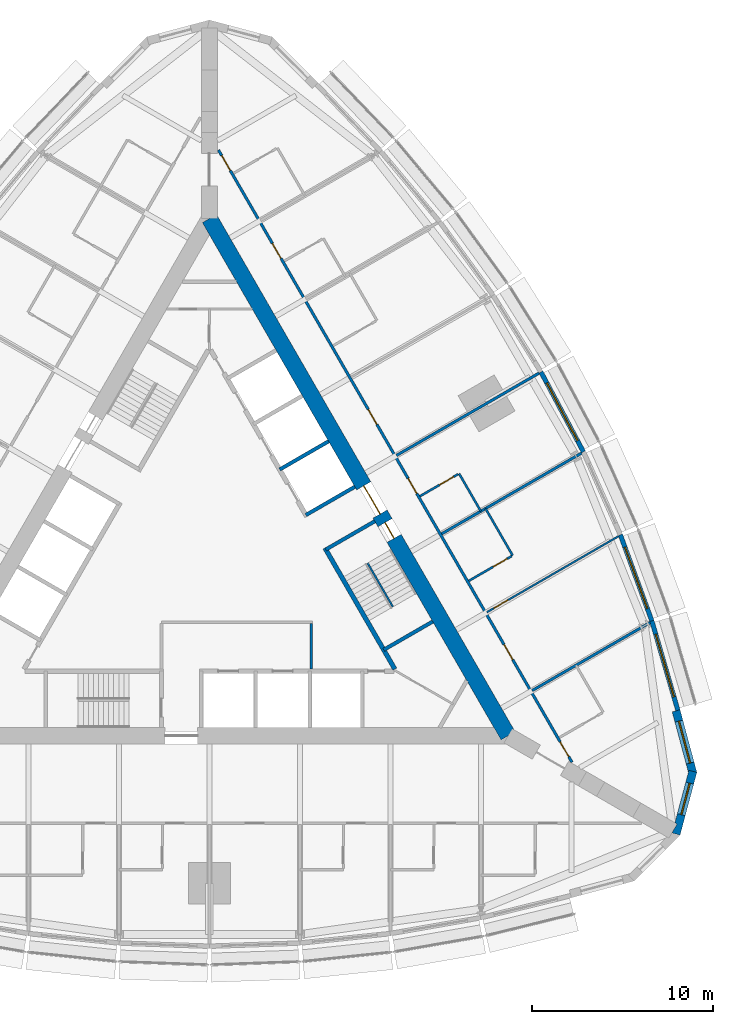
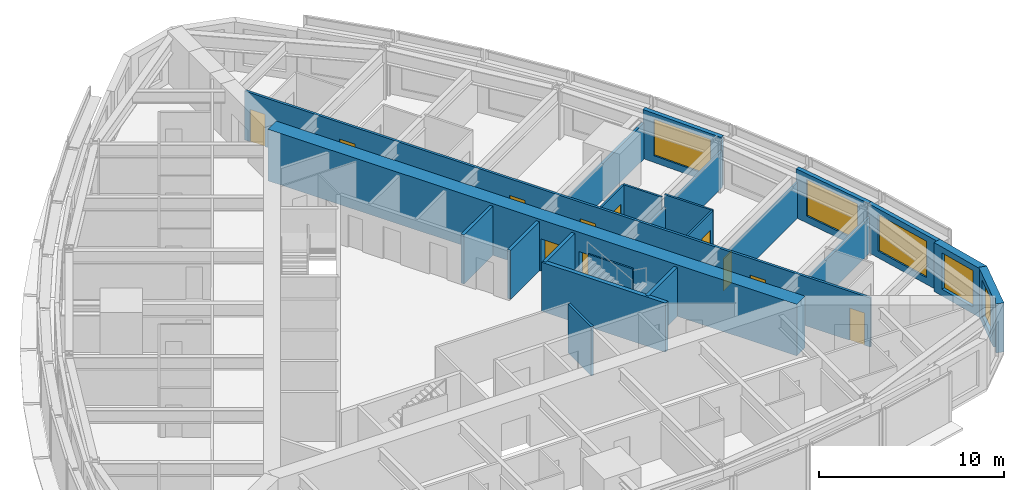
# One storey, part 11 of 14: 22 walls, 11 doors, 5 windows, 16 openings.
"""IFC4 building model written with IfcOpenShell, lengths in metres."""

from ifc_helpers import new_model, si_unit, direction, frame, frame_2d, origin, place, context, subcontext, project, spatial, polyline, rectangle, outline, extrude, material, layer, layer_set, type_object, element, fill, save


model = new_model("IFC4")

# Units and contexts
model_context = context("Model", 3, precision=1e-05, world=origin(), true_north=direction((0.0, 1.0)))
body_context = subcontext(model_context, "Body", "Model", "MODEL_VIEW")
ifc_project = project(units=[si_unit("LENGTHUNIT", "METRE"), si_unit("AREAUNIT", "SQUARE_METRE"), si_unit("VOLUMEUNIT", "CUBIC_METRE"), si_unit("PLANEANGLEUNIT", "RADIAN"), si_unit("MASSUNIT", "GRAM", prefix="KILO")], contexts=[model_context])

# Site, building, storey
site_placement = place(None, origin())
site = spatial("IfcSite", under=ifc_project, at=site_placement, CompositionType="ELEMENT")
building_placement = place(site_placement, origin())
building = spatial("IfcBuilding", under=site, at=building_placement, Name="Trikona Tower", CompositionType="ELEMENT")
storey_placement = place(building_placement, frame((0.0, 0.0, 145.300048828125)))
storey = spatial("IfcBuildingStorey", under=building, at=storey_placement, Name="L38", CompositionType="ELEMENT", Elevation=145.300048828125)

# Wall
ifc_material_1 = material(Name="Metal stud and cement board", Category="gypsum")
ifc_layer_1 = layer(ifc_material_1, 0.1201171875)
ifc_layer_set_1 = layer_set([ifc_layer_1], Name="Bathroom wall 120")
wall_type_1 = type_object("IfcWallType", Name="Bathroom wall 120", PredefinedType="PLUMBINGWALL", material=ifc_layer_set_1)
wall_1_placement = place(storey_placement, frame((16.75341796875, 0.434814453125, 0.0), z_axis=(0.0, 0.0, 1.0), x_axis=(-0.499990139034, 0.866031096941, 0.0)))
element("IfcWall", 1, at=wall_1_placement, inside=storey, type_object=wall_type_1, Name="Bathroom wall 3808.1", PredefinedType="PLUMBINGWALL", context=body_context, shape_type="SweptSolid", body=[
    extrude(rectangle(XDim=3.0, YDim=0.1201171875, at=frame_2d((1.5, 0.0))), origin(), (0.0, 0.0, 1.0), 3.23486328125),
])

# Wall, opening, door
wall_2_placement = place(storey_placement, frame((14.32861328125, -0.965087890625, 0.0), z_axis=(0.0, 0.0, 1.0), x_axis=(0.866035715982, 0.499982138324, 0.0)))
wall_2 = element("IfcWall", 2, at=wall_2_placement, inside=storey, type_object=wall_type_1, Name="Bathroom wall 3808.1", PredefinedType="PLUMBINGWALL", context=body_context, shape_type="SweptSolid", body=[
    extrude(rectangle(XDim=2.73974609375, YDim=0.1201171875, at=frame_2d((1.369873046875, 0.0))), origin(), (0.0, 0.0, 1.0), 3.23486328125),
])
opening_1_placement = place(wall_2_placement, frame((1.550048828125, 0.0, 0.0)))
opening_1 = element("IfcOpeningElement", 3, at=opening_1_placement, cuts=wall_2, Name="Opening D2", PredefinedType="OPENING", context=body_context, shape_type="SweptSolid", body=[
    extrude(rectangle(XDim=0.89990234375, YDim=2.1298828125, at=frame_2d((0.449951171875, 1.06494140625))), frame((0.0, 0.070068359375, 0.0), z_axis=(0.0, -1.0, 0.0), x_axis=(1.0, 0.0, 0.0)), (0.0, 0.0, 1.0), 0.14013671875),
])
ifc_material_2 = material(Name="Steel door frame with solid-core timber leaf", Category="steel")
door_type_1 = type_object("IfcDoorType", Name="Bathroom door 900x2130", OperationType="SLIDING_TO_LEFT", PredefinedType="DOOR", material=ifc_material_2)
door_1_placement = place(opening_1_placement, origin())
door_1 = element("IfcDoor", 4, at=door_1_placement, inside=storey, type_object=door_type_1, Name="Bathroom door 3808.1", OperationType="SLIDING_TO_LEFT", OverallHeight=2.1298828125, OverallWidth=0.89990234375, PredefinedType="DOOR", context=body_context, shape_type="SweptSolid", body=[
    extrude(rectangle(XDim=0.89990234375, YDim=2.1298828125, at=frame_2d((0.449951171875, 1.06494140625))), frame((0.0, 0.02490234375, 0.0), z_axis=(0.0, -1.0, 0.0), x_axis=(1.0, 0.0, 0.0)), (0.0, 0.0, 1.0), 0.050048828125),
])
fill(opening_1, door_1)

# Wall
wall_3_placement = place(storey_placement, frame((14.993408203125, 2.883056640625, 0.0), z_axis=(0.0, 0.0, 1.0), x_axis=(-0.500001309137, 0.866024647952, 0.0)))
element("IfcWall", 5, at=wall_3_placement, inside=storey, type_object=wall_type_1, Name="Bathroom wall 3809", PredefinedType="PLUMBINGWALL", context=body_context, shape_type="SweptSolid", body=[
    extrude(rectangle(XDim=2.39990234375, YDim=0.1201171875, at=frame_2d((1.199951171875, 0.0))), origin(), (0.0, 0.0, 1.0), 3.23486328125),
])

# Wall, opening, door
wall_4_placement = place(storey_placement, frame((11.62841796875, 3.71142578125, 0.0), z_axis=(0.0, 0.0, 1.0), x_axis=(0.866048967903, 0.499959183527, 0.0)))
wall_4 = element("IfcWall", 6, at=wall_4_placement, inside=storey, type_object=wall_type_1, Name="Bathroom wall 3809", PredefinedType="PLUMBINGWALL", context=body_context, shape_type="SweptSolid", body=[
    extrude(rectangle(XDim=2.440185546875, YDim=0.1201171875, at=frame_2d((1.22021484375, 0.0))), origin(), (0.0, 0.0, 1.0), 3.23486328125),
])
opening_2_placement = place(wall_4_placement, frame((1.25, 0.0, 0.0)))
opening_2 = element("IfcOpeningElement", 7, at=opening_2_placement, cuts=wall_4, Name="Opening D2", PredefinedType="OPENING", context=body_context, shape_type="SweptSolid", body=[
    extrude(rectangle(XDim=0.89990234375, YDim=2.1298828125, at=frame_2d((0.449951171875, 1.06494140625))), frame((0.0, 0.070068359375, 0.0), z_axis=(0.0, -1.0, 0.0), x_axis=(1.0, 0.0, 0.0)), (0.0, 0.0, 1.0), 0.14013671875),
])
door_2_placement = place(opening_2_placement, origin())
door_2 = element("IfcDoor", 8, at=door_2_placement, inside=storey, type_object=door_type_1, Name="Bathroom door 3809", OperationType="SLIDING_TO_LEFT", OverallHeight=2.1298828125, OverallWidth=0.89990234375, PredefinedType="DOOR", context=body_context, shape_type="SweptSolid", body=[
    extrude(rectangle(XDim=0.89990234375, YDim=2.1298828125, at=frame_2d((0.449951171875, 1.06494140625))), frame((0.0, 0.02490234375, 0.0), z_axis=(0.0, -1.0, 0.0), x_axis=(1.0, 0.0, 0.0)), (0.0, 0.0, 1.0), 0.050048828125),
])
fill(opening_2, door_2)

# Wall, opening, window
ifc_material_3 = material(Name="Brick-faced precast concrete", Category="masonry")
ifc_layer_2 = layer(ifc_material_3, 0.449951171875)
ifc_layer_set_2 = layer_set([ifc_layer_2], Name="Brick-faced corner wall 450")
wall_type_2 = type_object("IfcWallType", Name="Brick-faced corner wall 450", PredefinedType="SOLIDWALL", material=ifc_layer_set_2)
wall_5_placement = place(storey_placement, frame((25.78271484375, -14.952880859375, 0.0), z_axis=(0.0, 0.0, 1.0), x_axis=(0.258823421857, 0.965924653531, 0.0)))
wall_5 = element("IfcWall", 9, at=wall_5_placement, inside=storey, type_object=wall_type_2, Name="External wall L38-10", PredefinedType="SOLIDWALL", context=body_context, shape_type="SweptSolid", body=[
    extrude(outline(polyline([(3.58642578125, 0.22509765625), (0.58642578125, 0.22509765625), (0.551025390625, 0.09326171875), (0.0595703125, 0.22509765625), (0.0, 0.22509765625), (0.0, -0.22509765625), (3.58642578125, -0.22509765625), (3.58642578125, 0.22509765625)])), origin(), (0.0, 0.0, 1.0), 3.23486328125),
])
opening_3_placement = place(wall_5_placement, frame((1.111328125, 0.0, 0.449951171875)))
opening_3 = element("IfcOpeningElement", 10, at=opening_3_placement, cuts=wall_5, Name="Opening W1824", PredefinedType="OPENING", context=body_context, shape_type="SweptSolid", body=[
    extrude(rectangle(XDim=1.800048828125, YDim=2.39990234375, at=frame_2d((0.89990234375, 1.199951171875))), frame((0.0, 0.23486328125, 0.0), z_axis=(0.0, -1.0, 0.0), x_axis=(1.0, 0.0, 0.0)), (0.0, 0.0, 1.0), 0.469970703125),
])
ifc_material_4 = material(Name="Aluminium-framed double glazing", Category="aluminium")
window_type_1 = type_object("IfcWindowType", Name="Window 1800x2400", PartitioningType="SINGLE_PANEL", PredefinedType="WINDOW", material=ifc_material_4)
window_1_placement = place(opening_3_placement, origin())
window_1 = element("IfcWindow", 11, at=window_1_placement, inside=storey, type_object=window_type_1, Name="Window 3807", OverallHeight=2.39990234375, OverallWidth=1.800048828125, PartitioningType="SINGLE_PANEL", PredefinedType="WINDOW", context=body_context, shape_type="SweptSolid", body=[
    extrude(rectangle(XDim=1.800048828125, YDim=2.39990234375, at=frame_2d((0.89990234375, 1.199951171875))), frame((0.0, 0.030029296875, 0.0), z_axis=(0.0, -1.0, 0.0), x_axis=(1.0, 0.0, 0.0)), (0.0, 0.0, 1.0), 0.06005859375),
])
fill(opening_3, window_1)

wall_6_placement = place(storey_placement, frame((26.7109375, -11.605224609375, 0.0), z_axis=(0.0, 0.0, 1.0), x_axis=(-0.258823421857, 0.965924653531, 0.0)))
wall_6 = element("IfcWall", 12, at=wall_6_placement, inside=storey, type_object=wall_type_2, Name="External wall L38-11", PredefinedType="SOLIDWALL", context=body_context, shape_type="SweptSolid", body=[
    extrude(rectangle(XDim=3.58642578125, YDim=0.449951171875, at=frame_2d((1.793212890625, 0.0))), origin(), (0.0, 0.0, 1.0), 3.23486328125),
])
opening_4_placement = place(wall_6_placement, frame((0.593017578125, 0.0, 0.449951171875)))
opening_4 = element("IfcOpeningElement", 13, at=opening_4_placement, cuts=wall_6, Name="Opening W2424", PredefinedType="OPENING", context=body_context, shape_type="SweptSolid", body=[
    extrude(rectangle(XDim=2.39990234375, YDim=2.39990234375, at=frame_2d((1.199951171875, 1.199951171875))), frame((0.0, 0.23486328125, 0.0), z_axis=(0.0, -1.0, 0.0), x_axis=(1.0, 0.0, 0.0)), (0.0, 0.0, 1.0), 0.469970703125),
])
ifc_material_5 = material(Name="Aluminium-framed double glazing", Category="aluminium")
window_type_2 = type_object("IfcWindowType", Name="Window 2400x2400", PartitioningType="SINGLE_PANEL", PredefinedType="WINDOW", material=ifc_material_5)
window_2_placement = place(opening_4_placement, origin())
window_2 = element("IfcWindow", 14, at=window_2_placement, inside=storey, type_object=window_type_2, Name="Window 3807", OverallHeight=2.39990234375, OverallWidth=2.39990234375, PartitioningType="SINGLE_PANEL", PredefinedType="WINDOW", context=body_context, shape_type="SweptSolid", body=[
    extrude(rectangle(XDim=2.39990234375, YDim=2.39990234375, at=frame_2d((1.199951171875, 1.199951171875))), frame((0.0, 0.030029296875, 0.0), z_axis=(0.0, -1.0, 0.0), x_axis=(1.0, 0.0, 0.0)), (0.0, 0.0, 1.0), 0.06005859375),
])
fill(opening_4, window_2)

# Wall, openings, doors
ifc_material_6 = material(Name="Concrete f'c 10000 psi", Category="concrete")
ifc_layer_3 = layer(ifc_material_6, 0.89990234375)
ifc_layer_set_3 = layer_set([ifc_layer_3], Name="Core wall 900")
wall_type_3 = type_object("IfcWallType", Name="Core wall 900", PredefinedType="SHEAR", material=ifc_layer_set_3)
wall_7_placement = place(storey_placement, frame((16.5, -9.5263671875, 0.0), z_axis=(0.0, 0.0, 1.0), x_axis=(-0.499999749417, 0.866025548458, 0.0)))
wall_7 = element("IfcWall", 15, at=wall_7_placement, inside=storey, type_object=wall_type_3, Name="Core wall B", PredefinedType="SHEAR", context=body_context, shape_type="SweptSolid", body=[
    extrude(rectangle(XDim=33.0, YDim=0.89990234375, at=frame_2d((16.5, 0.0))), origin(), (0.0, 0.0, 1.0), 3.39990234375),
])
opening_5_placement = place(wall_7_placement, frame((14.14990234375, 0.0, 0.0)))
opening_5 = element("IfcOpeningElement", 16, at=opening_5_placement, cuts=wall_7, Name="Opening D6", PredefinedType="OPENING", context=body_context, shape_type="SweptSolid", body=[
    extrude(rectangle(XDim=1.800048828125, YDim=2.1298828125, at=frame_2d((0.89990234375, 1.06494140625))), frame((0.0, 0.4599609375, 0.0), z_axis=(0.0, -1.0, 0.0), x_axis=(1.0, 0.0, 0.0)), (0.0, 0.0, 1.0), 0.919921875),
])
opening_6_placement = place(wall_7_placement, frame((12.60009765625, 0.0, 0.0)))
opening_6 = element("IfcOpeningElement", 17, at=opening_6_placement, cuts=wall_7, Name="Opening D5", PredefinedType="OPENING", context=body_context, shape_type="SweptSolid", body=[
    extrude(rectangle(XDim=1.0, YDim=2.1298828125, at=frame_2d((0.5, 1.06494140625))), frame((0.0, 0.4599609375, 0.0), z_axis=(0.0, -1.0, 0.0), x_axis=(1.0, 0.0, 0.0)), (0.0, 0.0, 1.0), 0.919921875),
])
ifc_material_7 = material(Name="Hollow metal door and frame", Category="steel")
door_type_2 = type_object("IfcDoorType", Name="Lobby door pair 1800x2130", OperationType="DOUBLE_DOOR_SINGLE_SWING", PredefinedType="DOOR", material=ifc_material_7)
door_3_placement = place(opening_5_placement, origin())
door_3 = element("IfcDoor", 18, at=door_3_placement, inside=storey, type_object=door_type_2, Name="Lift lobby door B", OperationType="DOUBLE_DOOR_SINGLE_SWING", OverallHeight=2.1298828125, OverallWidth=1.800048828125, PredefinedType="DOOR", context=body_context, shape_type="SweptSolid", body=[
    extrude(rectangle(XDim=1.800048828125, YDim=2.1298828125, at=frame_2d((0.89990234375, 1.06494140625))), frame((0.0, 0.02490234375, 0.0), z_axis=(0.0, -1.0, 0.0), x_axis=(1.0, 0.0, 0.0)), (0.0, 0.0, 1.0), 0.050048828125),
])
fill(opening_5, door_3)
ifc_material_8 = material(Name="Hollow metal door and frame", Category="steel")
door_type_3 = type_object("IfcDoorType", Name="Stair door 1000x2130", OperationType="SINGLE_SWING_LEFT", PredefinedType="DOOR", material=ifc_material_8)
door_4_placement = place(opening_6_placement, origin())
door_4 = element("IfcDoor", 19, at=door_4_placement, inside=storey, type_object=door_type_3, Name="Stair B door", OperationType="SINGLE_SWING_RIGHT", OverallHeight=2.1298828125, OverallWidth=1.0, PredefinedType="DOOR", context=body_context, shape_type="SweptSolid", body=[
    extrude(rectangle(XDim=1.0, YDim=2.1298828125, at=frame_2d((0.5, 1.06494140625))), frame((0.0, 0.02490234375, 0.0), z_axis=(0.0, -1.0, 0.0), x_axis=(1.0, 0.0, 0.0)), (0.0, 0.0, 1.0), 0.050048828125),
])
fill(opening_6, door_4)

ifc_material_9 = material(Name="Metal stud and gypsum board, 1-hour", Category="gypsum")
ifc_layer_4 = layer(ifc_material_9, 0.14990234375)
ifc_layer_set_4 = layer_set([ifc_layer_4], Name="Corridor wall 150")
wall_type_4 = type_object("IfcWallType", Name="Corridor wall 150", PredefinedType="PARTITIONING", material=ifc_layer_set_4)
wall_8_placement = place(storey_placement, frame((20.027099609375, -10.9853515625, 0.0), z_axis=(0.0, 0.0, 1.0), x_axis=(-0.500001677587, 0.866024435227, 0.0)))
wall_8 = element("IfcWall", 20, at=wall_8_placement, inside=storey, type_object=wall_type_4, Name="Corridor wall L38-2", PredefinedType="PARTITIONING", context=body_context, shape_type="SweptSolid", body=[
    extrude(rectangle(XDim=39.053955078125, YDim=0.14990234375, at=frame_2d((19.52685546875, 0.0))), origin(), (0.0, 0.0, 1.0), 3.23486328125),
])
opening_7_placement = place(wall_8_placement, frame((0.35205078125, 0.0, 0.0)))
opening_7 = element("IfcOpeningElement", 21, at=opening_7_placement, cuts=wall_8, Name="Opening D1", PredefinedType="OPENING", context=body_context, shape_type="SweptSolid", body=[
    extrude(rectangle(XDim=0.949951171875, YDim=2.1298828125, at=frame_2d((0.47509765625, 1.06494140625))), frame((0.0, 0.0849609375, 0.0), z_axis=(0.0, -1.0, 0.0), x_axis=(1.0, 0.0, 0.0)), (0.0, 0.0, 1.0), 0.169921875),
])
opening_8_placement = place(wall_8_placement, frame((6.552001953125, 0.0, 0.0)))
opening_8 = element("IfcOpeningElement", 22, at=opening_8_placement, cuts=wall_8, Name="Opening D1", PredefinedType="OPENING", context=body_context, shape_type="SweptSolid", body=[
    extrude(rectangle(XDim=0.949951171875, YDim=2.1298828125, at=frame_2d((0.47509765625, 1.06494140625))), frame((0.0, 0.0849609375, 0.0), z_axis=(0.0, -1.0, 0.0), x_axis=(1.0, 0.0, 0.0)), (0.0, 0.0, 1.0), 0.169921875),
])
opening_9_placement = place(wall_8_placement, frame((17.152099609375, 0.0, 0.0)))
opening_9 = element("IfcOpeningElement", 23, at=opening_9_placement, cuts=wall_8, Name="Opening D1", PredefinedType="OPENING", context=body_context, shape_type="SweptSolid", body=[
    extrude(rectangle(XDim=0.949951171875, YDim=2.1298828125, at=frame_2d((0.47509765625, 1.06494140625))), frame((0.0, 0.0849609375, 0.0), z_axis=(0.0, -1.0, 0.0), x_axis=(1.0, 0.0, 0.0)), (0.0, 0.0, 1.0), 0.169921875),
])
opening_10_placement = place(wall_8_placement, frame((21.552001953125, 0.0, 0.0)))
opening_10 = element("IfcOpeningElement", 24, at=opening_10_placement, cuts=wall_8, Name="Opening D1", PredefinedType="OPENING", context=body_context, shape_type="SweptSolid", body=[
    extrude(rectangle(XDim=0.949951171875, YDim=2.1298828125, at=frame_2d((0.47509765625, 1.06494140625))), frame((0.0, 0.0849609375, 0.0), z_axis=(0.0, -1.0, 0.0), x_axis=(1.0, 0.0, 0.0)), (0.0, 0.0, 1.0), 0.169921875),
])
opening_11_placement = place(wall_8_placement, frame((32.152099609375, 0.0, 0.0)))
opening_11 = element("IfcOpeningElement", 25, at=opening_11_placement, cuts=wall_8, Name="Opening D1", PredefinedType="OPENING", context=body_context, shape_type="SweptSolid", body=[
    extrude(rectangle(XDim=0.949951171875, YDim=2.1298828125, at=frame_2d((0.47509765625, 1.06494140625))), frame((0.0, 0.0849609375, 0.0), z_axis=(0.0, -1.0, 0.0), x_axis=(1.0, 0.0, 0.0)), (0.0, 0.0, 1.0), 0.169921875),
])
opening_12_placement = place(wall_8_placement, frame((37.751953125, 0.0, 0.0)))
opening_12 = element("IfcOpeningElement", 26, at=opening_12_placement, cuts=wall_8, Name="Opening D1", PredefinedType="OPENING", context=body_context, shape_type="SweptSolid", body=[
    extrude(rectangle(XDim=0.949951171875, YDim=2.1298828125, at=frame_2d((0.47509765625, 1.06494140625))), frame((0.0, 0.0849609375, 0.0), z_axis=(0.0, -1.0, 0.0), x_axis=(1.0, 0.0, 0.0)), (0.0, 0.0, 1.0), 0.169921875),
])
ifc_material_10 = material(Name="Steel door frame with solid-core timber leaf", Category="steel")
door_type_4 = type_object("IfcDoorType", Name="Guest room door 950x2130", OperationType="SINGLE_SWING_LEFT", PredefinedType="DOOR", material=ifc_material_10)
door_5_placement = place(opening_7_placement, origin())
door_5 = element("IfcDoor", 27, at=door_5_placement, inside=storey, type_object=door_type_4, Name="Room door 3807", OperationType="SINGLE_SWING_LEFT", OverallHeight=2.1298828125, OverallWidth=0.949951171875, PredefinedType="DOOR", context=body_context, shape_type="SweptSolid", body=[
    extrude(rectangle(XDim=0.949951171875, YDim=2.1298828125, at=frame_2d((0.47509765625, 1.06494140625))), frame((0.0, 0.02490234375, 0.0), z_axis=(0.0, -1.0, 0.0), x_axis=(1.0, 0.0, 0.0)), (0.0, 0.0, 1.0), 0.050048828125),
])
fill(opening_7, door_5)
door_6_placement = place(opening_8_placement, origin())
door_6 = element("IfcDoor", 28, at=door_6_placement, inside=storey, type_object=door_type_4, Name="Room door 3808", OperationType="SINGLE_SWING_RIGHT", OverallHeight=2.1298828125, OverallWidth=0.949951171875, PredefinedType="DOOR", context=body_context, shape_type="SweptSolid", body=[
    extrude(rectangle(XDim=0.949951171875, YDim=2.1298828125, at=frame_2d((0.47509765625, 1.06494140625))), frame((0.0, 0.02490234375, 0.0), z_axis=(0.0, -1.0, 0.0), x_axis=(1.0, 0.0, 0.0)), (0.0, 0.0, 1.0), 0.050048828125),
])
fill(opening_8, door_6)
door_7_placement = place(opening_9_placement, origin())
door_7 = element("IfcDoor", 29, at=door_7_placement, inside=storey, type_object=door_type_4, Name="Room door 3809", OperationType="SINGLE_SWING_LEFT", OverallHeight=2.1298828125, OverallWidth=0.949951171875, PredefinedType="DOOR", context=body_context, shape_type="SweptSolid", body=[
    extrude(rectangle(XDim=0.949951171875, YDim=2.1298828125, at=frame_2d((0.47509765625, 1.06494140625))), frame((0.0, 0.02490234375, 0.0), z_axis=(0.0, -1.0, 0.0), x_axis=(1.0, 0.0, 0.0)), (0.0, 0.0, 1.0), 0.050048828125),
])
fill(opening_9, door_7)
door_8_placement = place(opening_10_placement, origin())
door_8 = element("IfcDoor", 30, at=door_8_placement, inside=storey, type_object=door_type_4, Name="Room door 3810", OperationType="SINGLE_SWING_RIGHT", OverallHeight=2.1298828125, OverallWidth=0.949951171875, PredefinedType="DOOR", context=body_context, shape_type="SweptSolid", body=[
    extrude(rectangle(XDim=0.949951171875, YDim=2.1298828125, at=frame_2d((0.47509765625, 1.06494140625))), frame((0.0, 0.02490234375, 0.0), z_axis=(0.0, -1.0, 0.0), x_axis=(1.0, 0.0, 0.0)), (0.0, 0.0, 1.0), 0.050048828125),
])
fill(opening_10, door_8)
door_9_placement = place(opening_11_placement, origin())
door_9 = element("IfcDoor", 31, at=door_9_placement, inside=storey, type_object=door_type_4, Name="Room door 3811", OperationType="SINGLE_SWING_LEFT", OverallHeight=2.1298828125, OverallWidth=0.949951171875, PredefinedType="DOOR", context=body_context, shape_type="SweptSolid", body=[
    extrude(rectangle(XDim=0.949951171875, YDim=2.1298828125, at=frame_2d((0.47509765625, 1.06494140625))), frame((0.0, 0.02490234375, 0.0), z_axis=(0.0, -1.0, 0.0), x_axis=(1.0, 0.0, 0.0)), (0.0, 0.0, 1.0), 0.050048828125),
])
fill(opening_11, door_9)
door_10_placement = place(opening_12_placement, origin())
door_10 = element("IfcDoor", 32, at=door_10_placement, inside=storey, type_object=door_type_4, Name="Room door 3812", OperationType="SINGLE_SWING_RIGHT", OverallHeight=2.1298828125, OverallWidth=0.949951171875, PredefinedType="DOOR", context=body_context, shape_type="SweptSolid", body=[
    extrude(rectangle(XDim=0.949951171875, YDim=2.1298828125, at=frame_2d((0.47509765625, 1.06494140625))), frame((0.0, 0.02490234375, 0.0), z_axis=(0.0, -1.0, 0.0), x_axis=(1.0, 0.0, 0.0)), (0.0, 0.0, 1.0), 0.050048828125),
])
fill(opening_12, door_10)

# Wall
ifc_material_11 = material(Name="Concrete f'c 8000 psi", Category="concrete")
ifc_layer_5 = layer(ifc_material_11, 0.25)
ifc_layer_set_5 = layer_set([ifc_layer_5], Name="Hub wall 250")
wall_type_5 = type_object("IfcWallType", Name="Hub wall 250", PredefinedType="SOLIDWALL", material=ifc_layer_set_5)
wall_9_placement = place(storey_placement, frame((10.245361328125, -5.843017578125, 0.0), z_axis=(0.0, 0.0, 1.0), x_axis=(-0.499993009313, 0.866029439822, 0.0)))
element("IfcWall", 33, at=wall_9_placement, inside=storey, type_object=wall_type_5, Name="Lift lobby wall B1", PredefinedType="SOLIDWALL", context=body_context, shape_type="SweptSolid", body=[
    extrude(rectangle(XDim=7.73291015625, YDim=0.25, at=frame_2d((3.866455078125, 0.0))), origin(), (0.0, 0.0, 1.0), 3.23486328125),
])

# Wall, opening, window
ifc_material_12 = material(Name="Insulated precast concrete spandrel panel", Category="concrete")
ifc_layer_6 = layer(ifc_material_12, 0.25)
ifc_layer_set_6 = layer_set([ifc_layer_6], Name="Inner skin wall 250")
wall_type_6 = type_object("IfcWallType", Name="Inner skin wall 250", PredefinedType="STANDARD", material=ifc_layer_set_6)
wall_10_placement = place(storey_placement, frame((25.8798828125, -8.117919921875, 0.0), z_axis=(0.0, 0.0, 1.0), x_axis=(-0.279528287117, 0.960137457191, 0.0)))
wall_10 = element("IfcWall", 34, at=wall_10_placement, inside=storey, type_object=wall_type_6, Name="External wall L38-12", PredefinedType="STANDARD", context=body_context, shape_type="SweptSolid", body=[
    extrude(rectangle(XDim=5.14794921875, YDim=0.25, at=frame_2d((2.573974609375, 0.0))), origin(), (0.0, 0.0, 1.0), 3.23486328125),
])
opening_13_placement = place(wall_10_placement, frame((0.77392578125, 0.0, 0.449951171875)))
opening_13 = element("IfcOpeningElement", 35, at=opening_13_placement, cuts=wall_10, Name="Opening W3624", PredefinedType="OPENING", context=body_context, shape_type="SweptSolid", body=[
    extrude(rectangle(XDim=3.60009765625, YDim=2.39990234375, at=frame_2d((1.800048828125, 1.199951171875))), frame((0.0, 0.135009765625, 0.0), z_axis=(0.0, -1.0, 0.0), x_axis=(1.0, 0.0, 0.0)), (0.0, 0.0, 1.0), 0.27001953125),
])
ifc_material_13 = material(Name="Aluminium-framed double glazing", Category="aluminium")
window_type_3 = type_object("IfcWindowType", Name="Window 3600x2400", PartitioningType="SINGLE_PANEL", PredefinedType="WINDOW", material=ifc_material_13)
window_3_placement = place(opening_13_placement, origin())
window_3 = element("IfcWindow", 36, at=window_3_placement, inside=storey, type_object=window_type_3, Name="Window 3807", OverallHeight=2.39990234375, OverallWidth=3.60009765625, PartitioningType="SINGLE_PANEL", PredefinedType="WINDOW", context=body_context, shape_type="SweptSolid", body=[
    extrude(rectangle(XDim=3.60009765625, YDim=2.39990234375, at=frame_2d((1.800048828125, 1.199951171875))), frame((0.0, 0.030029296875, 0.0), z_axis=(0.0, -1.0, 0.0), x_axis=(1.0, 0.0, 0.0)), (0.0, 0.0, 1.0), 0.06005859375),
])
fill(opening_13, window_3)

wall_11_placement = place(storey_placement, frame((24.443603515625, -3.18310546875, 0.0), z_axis=(0.0, 0.0, 1.0), x_axis=(-0.343225593282, 0.939252996863, 0.0)))
wall_11 = element("IfcWall", 37, at=wall_11_placement, inside=storey, type_object=wall_type_6, Name="External wall L38-13", PredefinedType="STANDARD", context=body_context, shape_type="SweptSolid", body=[
    extrude(rectangle(XDim=5.075927734375, YDim=0.25, at=frame_2d((2.5380859375, 0.0))), origin(), (0.0, 0.0, 1.0), 3.23486328125),
])
opening_14_placement = place(wall_11_placement, frame((0.738037109375, 0.0, 0.449951171875)))
opening_14 = element("IfcOpeningElement", 38, at=opening_14_placement, cuts=wall_11, Name="Opening W3624", PredefinedType="OPENING", context=body_context, shape_type="SweptSolid", body=[
    extrude(rectangle(XDim=3.60009765625, YDim=2.39990234375, at=frame_2d((1.800048828125, 1.199951171875))), frame((0.0, 0.135009765625, 0.0), z_axis=(0.0, -1.0, 0.0), x_axis=(1.0, 0.0, 0.0)), (0.0, 0.0, 1.0), 0.27001953125),
])
window_4_placement = place(opening_14_placement, origin())
window_4 = element("IfcWindow", 39, at=window_4_placement, inside=storey, type_object=window_type_3, Name="Window 3808", OverallHeight=2.39990234375, OverallWidth=3.60009765625, PartitioningType="SINGLE_PANEL", PredefinedType="WINDOW", context=body_context, shape_type="SweptSolid", body=[
    extrude(rectangle(XDim=3.60009765625, YDim=2.39990234375, at=frame_2d((1.800048828125, 1.199951171875))), frame((0.0, 0.030029296875, 0.0), z_axis=(0.0, -1.0, 0.0), x_axis=(1.0, 0.0, 0.0)), (0.0, 0.0, 1.0), 0.06005859375),
])
fill(opening_14, window_4)

wall_12_placement = place(storey_placement, frame((20.662841796875, 6.161376953125, 0.0), z_axis=(0.0, 0.0, 1.0), x_axis=(-0.469404966864, 0.882982999317, 0.0)))
wall_12 = element("IfcWall", 40, at=wall_12_placement, inside=storey, type_object=wall_type_6, Name="External wall L38-15", PredefinedType="STANDARD", context=body_context, shape_type="SweptSolid", body=[
    extrude(rectangle(XDim=5.0029296875, YDim=0.25, at=frame_2d((2.50146484375, 0.0))), origin(), (0.0, 0.0, 1.0), 3.23486328125),
])
opening_15_placement = place(wall_12_placement, frame((0.701416015625, 0.0, 0.449951171875)))
opening_15 = element("IfcOpeningElement", 41, at=opening_15_placement, cuts=wall_12, Name="Opening W3624", PredefinedType="OPENING", context=body_context, shape_type="SweptSolid", body=[
    extrude(rectangle(XDim=3.60009765625, YDim=2.39990234375, at=frame_2d((1.800048828125, 1.199951171875))), frame((0.0, 0.135009765625, 0.0), z_axis=(0.0, -1.0, 0.0), x_axis=(1.0, 0.0, 0.0)), (0.0, 0.0, 1.0), 0.27001953125),
])
window_5_placement = place(opening_15_placement, origin())
window_5 = element("IfcWindow", 42, at=window_5_placement, inside=storey, type_object=window_type_3, Name="Window 3809", OverallHeight=2.39990234375, OverallWidth=3.60009765625, PartitioningType="SINGLE_PANEL", PredefinedType="WINDOW", context=body_context, shape_type="SweptSolid", body=[
    extrude(rectangle(XDim=3.60009765625, YDim=2.39990234375, at=frame_2d((1.800048828125, 1.199951171875))), frame((0.0, 0.030029296875, 0.0), z_axis=(0.0, -1.0, 0.0), x_axis=(1.0, 0.0, 0.0)), (0.0, 0.0, 1.0), 0.06005859375),
])
fill(opening_15, window_5)

# Walls
ifc_material_14 = material(Name="Metal stud and gypsum board, 2-hour shaft wall", Category="gypsum")
ifc_layer_7 = layer(ifc_material_14, 0.14990234375)
ifc_layer_set_7 = layer_set([ifc_layer_7], Name="Lobby wall 150")
wall_type_7 = type_object("IfcWallType", Name="Lobby wall 150", PredefinedType="PARTITIONING", material=ifc_layer_set_7)
wall_13_placement = place(storey_placement, frame((5.625, -5.826416015625, 0.0), z_axis=(0.0, 0.0, 1.0), x_axis=(0.0, 1.0, 0.0)))
element("IfcWall", 43, at=wall_13_placement, inside=storey, type_object=wall_type_7, Name="Fire service lift lobby wall 3", PredefinedType="PARTITIONING", context=body_context, shape_type="SweptSolid", body=[
    extrude(rectangle(XDim=2.5, YDim=0.14990234375, at=frame_2d((1.25, 0.0))), origin(), (0.0, 0.0, 1.0), 3.23486328125),
])
ifc_material_15 = material(Name="Metal stud and gypsum board, 1-hour acoustic", Category="gypsum")
ifc_layer_8 = layer(ifc_material_15, 0.14990234375)
ifc_layer_set_8 = layer_set([ifc_layer_8], Name="Party wall 150")
wall_type_8 = type_object("IfcWallType", Name="Party wall 150", PredefinedType="PARTITIONING", material=ifc_layer_set_8)
wall_14_placement = place(storey_placement, frame((17.82861328125, -7.027099609375, 0.0), z_axis=(0.0, 0.0, 1.0), x_axis=(0.866029804378, 0.499992377871, 0.0)))
element("IfcWall", 44, at=wall_14_placement, inside=storey, type_object=wall_type_8, Name="Partition L38 F2 u-15", PredefinedType="PARTITIONING", context=body_context, shape_type="SweptSolid", body=[
    extrude(rectangle(XDim=7.51611328125, YDim=0.14990234375, at=frame_2d((3.758056640625, 0.0))), origin(), (0.0, 0.0, 1.0), 2.38916015625),
])
wall_15_placement = place(storey_placement, frame((12.82861328125, 1.633056640625, 0.0), z_axis=(0.0, 0.0, 1.0), x_axis=(0.866027015393, 0.499997208602, 0.0)))
element("IfcWall", 45, at=wall_15_placement, inside=storey, type_object=wall_type_8, Name="Partition L38 F2 u-5", PredefinedType="PARTITIONING", context=body_context, shape_type="SweptSolid", body=[
    extrude(rectangle(XDim=8.92236328125, YDim=0.14990234375, at=frame_2d((4.461181640625, 0.0))), origin(), (0.0, 0.0, 1.0), 2.38916015625),
])
wall_16_placement = place(storey_placement, frame((10.32861328125, 5.963134765625, 0.0), z_axis=(0.0, 0.0, 1.0), x_axis=(0.866025170687, 0.500000403736, 0.0)))
element("IfcWall", 46, at=wall_16_placement, inside=storey, type_object=wall_type_8, Name="Partition L38 F2 u-4.44089e-15", PredefinedType="PARTITIONING", context=body_context, shape_type="SweptSolid", body=[
    extrude(rectangle(XDim=9.0986328125, YDim=0.14990234375, at=frame_2d((4.54931640625, 0.0))), origin(), (0.0, 0.0, 1.0), 2.38916015625),
])
ifc_material_16 = material(Name="Concrete f'c 8000 psi", Category="concrete")
ifc_layer_9 = layer(ifc_material_16, 0.199951171875)
ifc_layer_set_9 = layer_set([ifc_layer_9], Name="Shaft wall 200")
wall_type_9 = type_object("IfcWallType", Name="Shaft wall 200", PredefinedType="SOLIDWALL", material=ifc_layer_set_9)
for number, where, z_axis, x_axis, name in (
    (47, (5.3291015625, 2.672607421875, 0.0), (0.0, 0.0, 1.0), (0.866022959057, 0.500004234368, 0.0), "Shaft wall B3"),
    (48, (3.87890625, 5.18408203125, 0.0), (0.0, 0.0, 1.0), (0.866022959057, 0.500004234368, 0.0), "Shaft wall B4"),
):
    element("IfcWall", number, at=place(storey_placement, frame(where, z_axis=z_axis, x_axis=x_axis)), inside=storey, type_object=wall_type_9, Name=name, PredefinedType="SOLIDWALL", context=body_context, shape_type="SweptSolid", body=[
        extrude(rectangle(XDim=3.125, YDim=0.199951171875, at=frame_2d((1.5625, 0.0))), origin(), (0.0, 0.0, 1.0), 3.23486328125),
    ])
ifc_material_17 = material(Name="Concrete f'c 8000 psi", Category="concrete")
ifc_layer_10 = layer(ifc_material_17, 0.199951171875)
ifc_layer_set_10 = layer_set([ifc_layer_10], Name="Shaft wall 200 load-bearing")
wall_type_10 = type_object("IfcWallType", Name="Shaft wall 200 load-bearing", PredefinedType="SOLIDWALL", material=ifc_layer_set_10)
for number, where, z_axis, x_axis, name in (
    (49, (9.62890625, -4.775390625, 0.0), (0.0, 0.0, 1.0), (0.866022959057, 0.500004234368, 0.0), "Shaft wall B1"),
    (50, (6.428955078125, 0.767333984375, 0.0), (0.0, 0.0, 1.0), (0.866022959057, 0.500004234368, 0.0), "Shaft wall B2"),
):
    element("IfcWall", number, at=place(storey_placement, frame(where, z_axis=z_axis, x_axis=x_axis)), inside=storey, type_object=wall_type_10, Name=name, PredefinedType="SOLIDWALL", context=body_context, shape_type="SweptSolid", body=[
        extrude(rectangle(XDim=3.125, YDim=0.199951171875, at=frame_2d((1.5625, 0.0))), origin(), (0.0, 0.0, 1.0), 3.23486328125),
    ])
ifc_material_18 = material(Name="Concrete f'c 5000 psi", Category="concrete")
ifc_layer_11 = layer(ifc_material_18, 0.10009765625)
ifc_layer_set_11 = layer_set([ifc_layer_11], Name="Stair spine wall 100")
wall_type_11 = type_object("IfcWallType", Name="Stair spine wall 100", PredefinedType="SOLIDWALL", material=ifc_layer_set_11)
wall_17_placement = place(storey_placement, frame((10.134765625, -2.4013671875, 0.0), z_axis=(0.0, 0.0, 1.0), x_axis=(-0.499992232847, 0.866029888106, 0.0)))
element("IfcWall", 51, at=wall_17_placement, inside=storey, type_object=wall_type_11, Name="Stair B spine wall L38", PredefinedType="SOLIDWALL", context=body_context, shape_type="SweptSolid", body=[
    extrude(rectangle(XDim=2.7939453125, YDim=0.10009765625, at=frame_2d((1.39697265625, 0.0))), origin(), (0.0, 0.0, 1.0), 3.39990234375),
])

# Wall, opening, door
ifc_material_19 = material(Name="Metal stud and gypsum board, acoustic", Category="gypsum")
ifc_layer_12 = layer(ifc_material_19, 0.10009765625)
ifc_layer_set_12 = layer_set([ifc_layer_12], Name="Suite partition 100")
wall_type_12 = type_object("IfcWallType", Name="Suite partition 100", PredefinedType="PARTITIONING", material=ifc_layer_set_12)
wall_18_placement = place(storey_placement, frame((15.32861328125, -2.697021484375, 0.0), z_axis=(0.0, 0.0, 1.0), x_axis=(0.866024316602, 0.50000188305, 0.0)))
wall_18 = element("IfcWall", 52, at=wall_18_placement, inside=storey, type_object=wall_type_12, Name="Suite partition L38 F2 u-10", PredefinedType="PARTITIONING", context=body_context, shape_type="SweptSolid", body=[
    extrude(rectangle(XDim=8.39501953125, YDim=0.10009765625, at=frame_2d((4.197509765625, 0.0))), origin(), (0.0, 0.0, 1.0), 2.38916015625),
])
opening_16_placement = place(wall_18_placement, frame((0.449951171875, 0.0, 0.0)))
opening_16 = element("IfcOpeningElement", 53, at=opening_16_placement, cuts=wall_18, Name="Opening D13", PredefinedType="OPENING", context=body_context, shape_type="SweptSolid", body=[
    extrude(rectangle(XDim=0.89990234375, YDim=2.1298828125, at=frame_2d((0.449951171875, 1.06494140625))), frame((0.0, 0.06005859375, 0.0), z_axis=(0.0, -1.0, 0.0), x_axis=(1.0, 0.0, 0.0)), (0.0, 0.0, 1.0), 0.1201171875),
])
ifc_material_20 = material(Name="Steel door frame with solid-core timber leaf", Category="steel")
door_type_5 = type_object("IfcDoorType", Name="Suite door 900x2130", OperationType="SINGLE_SWING_LEFT", PredefinedType="DOOR", material=ifc_material_20)
door_11_placement = place(opening_16_placement, origin())
door_11 = element("IfcDoor", 54, at=door_11_placement, inside=storey, type_object=door_type_5, Name="Suite door 3808", OperationType="SINGLE_SWING_LEFT", OverallHeight=2.1298828125, OverallWidth=0.89990234375, PredefinedType="DOOR", context=body_context, shape_type="SweptSolid", body=[
    extrude(rectangle(XDim=0.89990234375, YDim=2.1298828125, at=frame_2d((0.449951171875, 1.06494140625))), frame((0.0, 0.02490234375, 0.0), z_axis=(0.0, -1.0, 0.0), x_axis=(1.0, 0.0, 0.0)), (0.0, 0.0, 1.0), 0.050048828125),
])
fill(opening_16, door_11)

save(model, "model.ifc")
